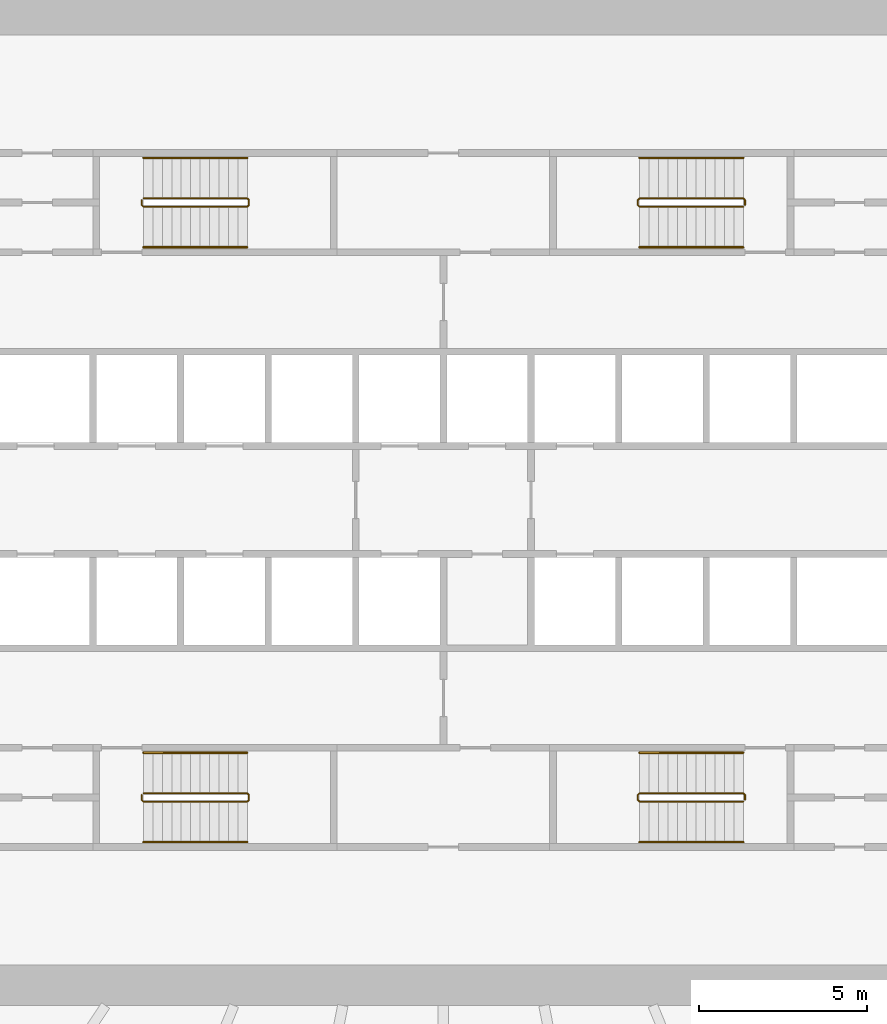
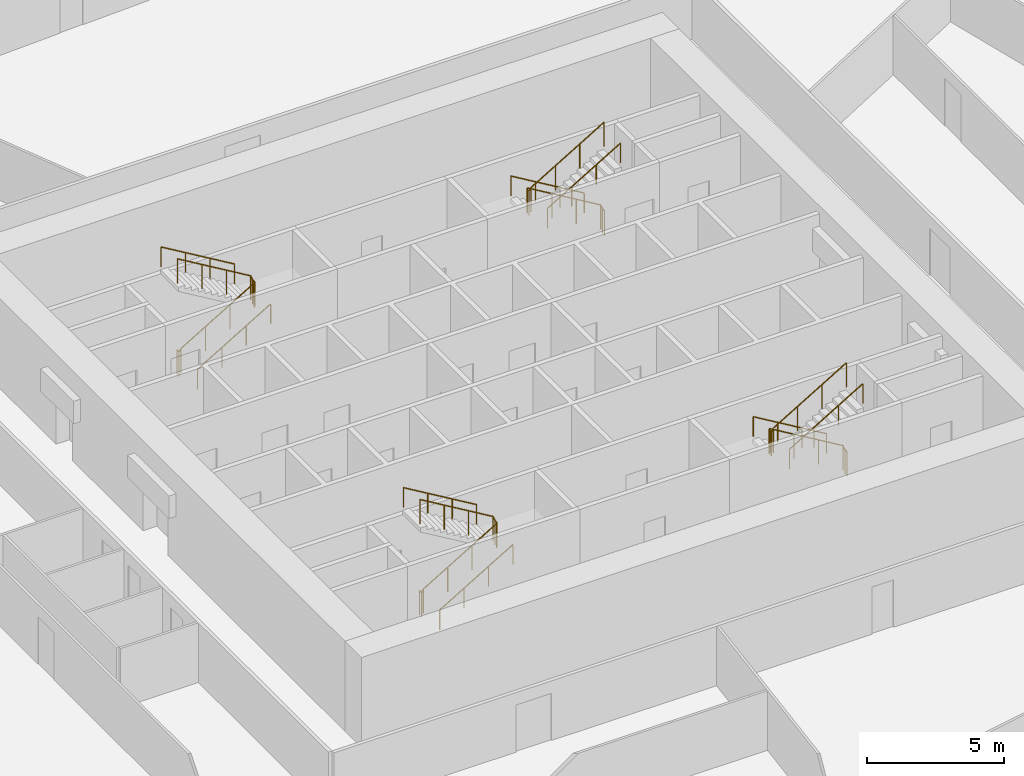
# One storey, part 14 of 14: 12 railings.
"""IFC4 building model written with IfcOpenShell, lengths in metres."""

from ifc_helpers import new_model, si_unit, direction, frame, origin, origin_2d, place, context, subcontext, project, spatial, circle, extrude, material, type_object, element, save


model = new_model("IFC4")

# Units and contexts
model_context = context("Model", 3, precision=1e-05, world=origin(), true_north=direction((0.0, 1.0)))
body_context = subcontext(model_context, "Body", "Model", "MODEL_VIEW")
ifc_project = project(units=[si_unit("LENGTHUNIT", "METRE"), si_unit("AREAUNIT", "SQUARE_METRE"), si_unit("VOLUMEUNIT", "CUBIC_METRE"), si_unit("PLANEANGLEUNIT", "RADIAN"), si_unit("MASSUNIT", "GRAM", prefix="KILO")], contexts=[model_context])

# Site, building, storey
site_placement = place(None, origin())
site = spatial("IfcSite", under=ifc_project, at=site_placement, CompositionType="ELEMENT")
building_placement = place(site_placement, origin())
building = spatial("IfcBuilding", under=site, at=building_placement, Name="Corvane Civic Tower", CompositionType="ELEMENT")
storey_placement = place(building_placement, frame((0.0, 0.0, 81.0)))
storey = spatial("IfcBuildingStorey", under=building, at=storey_placement, Name="L18", CompositionType="ELEMENT", Elevation=81.0)

# Railings
ifc_material_1 = material(Name="Steel ASTM A572 Gr 50", Category="steel")
railing_type_1 = type_object("IfcRailingType", Name="ST-GUARD-1100", PredefinedType="GUARDRAIL", material=ifc_material_1)
railing_1_placement = place(storey_placement, frame((8.949951171875, 8.75, 0.0)))
element("IfcRailing", 1, at=railing_1_placement, inside=storey, type_object=railing_type_1, Name="L18 ST1 stair guard 1", PredefinedType="GUARDRAIL", context=body_context, shape_type="SweptSolid", body=[
    extrude(circle(Radius=0.02392578125, at=origin_2d()), frame((0.0, 0.0, 1.076171875), z_axis=(0.0, 1.0, 0.0), x_axis=(-1.0, 0.0, 0.0)), (0.0, 0.0, 1.0), 0.14990234375),
    extrude(circle(Radius=0.02392578125, at=origin_2d()), frame((0.0, 0.14990234375, 1.076171875), z_axis=(-0.27628659633, 0.27628659633, 0.920506074601), x_axis=(-0.707106781187, -0.707106781187, 0.0)), (0.0, 0.0, 1.0), 0.18115234375),
    extrude(circle(Radius=0.02392578125, at=origin_2d()), frame((-0.050048828125, 0.199951171875, 1.24267578125), z_axis=(-0.859290745958, 0.0, 0.51148745235), x_axis=(0.0, -1.0, 0.0)), (0.0, 0.0, 1.0), 3.584228515625),
    extrude(circle(Radius=0.02392578125, at=origin_2d()), frame((-3.1298828125, 0.199951171875, 3.076171875), z_axis=(-0.707106781187, -0.707106781187, 0.0), x_axis=(0.707106781187, -0.707106781187, 0.0)), (0.0, 0.0, 1.0), 0.07080078125),
    extrude(circle(Radius=0.02392578125, at=origin_2d()), frame((-3.179931640625, 0.14990234375, 3.076171875), z_axis=(0.0, -1.0, 0.0), x_axis=(1.0, 0.0, 0.0)), (0.0, 0.0, 1.0), 0.14990234375),
    extrude(circle(Radius=0.02392578125, at=origin_2d()), frame((-3.179931640625, 0.0, 3.076171875), z_axis=(0.27628659633, -0.27628659633, 0.920506074601), x_axis=(0.707106781187, 0.707106781187, 0.0)), (0.0, 0.0, 1.0), 0.18115234375),
    extrude(circle(Radius=0.02392578125, at=origin_2d()), frame((-3.1298828125, -0.050048828125, 3.24267578125), z_axis=(0.859290745958, 0.0, 0.51148745235), x_axis=(0.0, 1.0, 0.0)), (0.0, 0.0, 1.0), 3.584228515625),
    extrude(circle(Radius=0.02099609375, at=origin_2d()), origin(), (0.0, 0.0, 1.0), 1.052001953125),
    extrude(circle(Radius=0.02099609375, at=origin_2d()), frame((0.0, 0.14990234375, 0.0)), (0.0, 0.0, 1.0), 1.052001953125),
    extrude(circle(Radius=0.02099609375, at=origin_2d()), frame((-0.050048828125, 0.199951171875, 0.166748046875)), (0.0, 0.0, 1.0), 1.052001953125),
    extrude(circle(Radius=0.02099609375, at=origin_2d()), frame((-1.07666015625, 0.199951171875, 0.77783203125)), (0.0, 0.0, 1.0), 1.052001953125),
    extrude(circle(Radius=0.02099609375, at=origin_2d()), frame((-2.103271484375, 0.199951171875, 1.388916015625)), (0.0, 0.0, 1.0), 1.052001953125),
    extrude(circle(Radius=0.02099609375, at=origin_2d()), frame((-3.1298828125, 0.199951171875, 2.0)), (0.0, 0.0, 1.0), 1.052001953125),
    extrude(circle(Radius=0.02099609375, at=origin_2d()), frame((-3.179931640625, 0.14990234375, 2.0)), (0.0, 0.0, 1.0), 1.052001953125),
    extrude(circle(Radius=0.02099609375, at=origin_2d()), frame((-3.179931640625, 0.0, 2.0)), (0.0, 0.0, 1.0), 1.052001953125),
    extrude(circle(Radius=0.02099609375, at=origin_2d()), frame((-3.1298828125, -0.050048828125, 2.166748046875)), (0.0, 0.0, 1.0), 1.052001953125),
    extrude(circle(Radius=0.02099609375, at=origin_2d()), frame((-2.103271484375, -0.050048828125, 2.77783203125)), (0.0, 0.0, 1.0), 1.052001953125),
    extrude(circle(Radius=0.02099609375, at=origin_2d()), frame((-1.07666015625, -0.050048828125, 3.388916015625)), (0.0, 0.0, 1.0), 1.052001953125),
    extrude(circle(Radius=0.02099609375, at=origin_2d()), frame((-0.050048828125, -0.050048828125, 4.0)), (0.0, 0.0, 1.0), 1.052001953125),
])
railing_2_placement = place(storey_placement, frame((8.949951171875, -8.89990234375, 0.0)))
element("IfcRailing", 2, at=railing_2_placement, inside=storey, type_object=railing_type_1, Name="L18 ST2 stair guard 1", PredefinedType="GUARDRAIL", context=body_context, shape_type="SweptSolid", body=[
    extrude(circle(Radius=0.02392578125, at=origin_2d()), frame((0.0, 0.0, 1.076171875), z_axis=(0.0, 1.0, 0.0), x_axis=(-1.0, 0.0, 0.0)), (0.0, 0.0, 1.0), 0.14990234375),
    extrude(circle(Radius=0.02392578125, at=origin_2d()), frame((0.0, 0.14990234375, 1.076171875), z_axis=(-0.27628659633, 0.27628659633, 0.920506074601), x_axis=(-0.707106781187, -0.707106781187, 0.0)), (0.0, 0.0, 1.0), 0.18115234375),
    extrude(circle(Radius=0.02392578125, at=origin_2d()), frame((-0.050048828125, 0.199951171875, 1.24267578125), z_axis=(-0.859290745958, 0.0, 0.51148745235), x_axis=(0.0, -1.0, 0.0)), (0.0, 0.0, 1.0), 3.584228515625),
    extrude(circle(Radius=0.02392578125, at=origin_2d()), frame((-3.1298828125, 0.199951171875, 3.076171875), z_axis=(-0.707106781187, -0.707106781187, 0.0), x_axis=(0.707106781187, -0.707106781187, 0.0)), (0.0, 0.0, 1.0), 0.07080078125),
    extrude(circle(Radius=0.02392578125, at=origin_2d()), frame((-3.179931640625, 0.14990234375, 3.076171875), z_axis=(0.0, -1.0, 0.0), x_axis=(1.0, 0.0, 0.0)), (0.0, 0.0, 1.0), 0.14990234375),
    extrude(circle(Radius=0.02392578125, at=origin_2d()), frame((-3.179931640625, 0.0, 3.076171875), z_axis=(0.27628659633, -0.27628659633, 0.920506074601), x_axis=(0.707106781187, 0.707106781187, 0.0)), (0.0, 0.0, 1.0), 0.18115234375),
    extrude(circle(Radius=0.02392578125, at=origin_2d()), frame((-3.1298828125, -0.050048828125, 3.24267578125), z_axis=(0.859290745958, 0.0, 0.51148745235), x_axis=(0.0, 1.0, 0.0)), (0.0, 0.0, 1.0), 3.584228515625),
    extrude(circle(Radius=0.02099609375, at=origin_2d()), origin(), (0.0, 0.0, 1.0), 1.052001953125),
    extrude(circle(Radius=0.02099609375, at=origin_2d()), frame((0.0, 0.14990234375, 0.0)), (0.0, 0.0, 1.0), 1.052001953125),
    extrude(circle(Radius=0.02099609375, at=origin_2d()), frame((-0.050048828125, 0.199951171875, 0.166748046875)), (0.0, 0.0, 1.0), 1.052001953125),
    extrude(circle(Radius=0.02099609375, at=origin_2d()), frame((-1.07666015625, 0.199951171875, 0.77783203125)), (0.0, 0.0, 1.0), 1.052001953125),
    extrude(circle(Radius=0.02099609375, at=origin_2d()), frame((-2.103271484375, 0.199951171875, 1.388916015625)), (0.0, 0.0, 1.0), 1.052001953125),
    extrude(circle(Radius=0.02099609375, at=origin_2d()), frame((-3.1298828125, 0.199951171875, 2.0)), (0.0, 0.0, 1.0), 1.052001953125),
    extrude(circle(Radius=0.02099609375, at=origin_2d()), frame((-3.179931640625, 0.14990234375, 2.0)), (0.0, 0.0, 1.0), 1.052001953125),
    extrude(circle(Radius=0.02099609375, at=origin_2d()), frame((-3.179931640625, 0.0, 2.0)), (0.0, 0.0, 1.0), 1.052001953125),
    extrude(circle(Radius=0.02099609375, at=origin_2d()), frame((-3.1298828125, -0.050048828125, 2.166748046875)), (0.0, 0.0, 1.0), 1.052001953125),
    extrude(circle(Radius=0.02099609375, at=origin_2d()), frame((-2.103271484375, -0.050048828125, 2.77783203125)), (0.0, 0.0, 1.0), 1.052001953125),
    extrude(circle(Radius=0.02099609375, at=origin_2d()), frame((-1.07666015625, -0.050048828125, 3.388916015625)), (0.0, 0.0, 1.0), 1.052001953125),
    extrude(circle(Radius=0.02099609375, at=origin_2d()), frame((-0.050048828125, -0.050048828125, 4.0)), (0.0, 0.0, 1.0), 1.052001953125),
])
railing_3_placement = place(storey_placement, frame((-8.949951171875, -8.75, 0.0)))
element("IfcRailing", 3, at=railing_3_placement, inside=storey, type_object=railing_type_1, Name="L18 ST3 stair guard 1", PredefinedType="GUARDRAIL", context=body_context, shape_type="SweptSolid", body=[
    extrude(circle(Radius=0.02392578125, at=origin_2d()), frame((0.0, 0.0, 1.076171875), z_axis=(0.0, -1.0, 0.0), x_axis=(1.0, 0.0, 0.0)), (0.0, 0.0, 1.0), 0.14990234375),
    extrude(circle(Radius=0.02392578125, at=origin_2d()), frame((0.0, -0.14990234375, 1.076171875), z_axis=(0.27628659633, -0.27628659633, 0.920506074601), x_axis=(0.707106781187, 0.707106781187, 0.0)), (0.0, 0.0, 1.0), 0.18115234375),
    extrude(circle(Radius=0.02392578125, at=origin_2d()), frame((0.050048828125, -0.199951171875, 1.24267578125), z_axis=(0.859290745958, 0.0, 0.51148745235), x_axis=(0.0, 1.0, 0.0)), (0.0, 0.0, 1.0), 3.584228515625),
    extrude(circle(Radius=0.02392578125, at=origin_2d()), frame((3.1298828125, -0.199951171875, 3.076171875), z_axis=(0.707106781187, 0.707106781187, 0.0), x_axis=(-0.707106781187, 0.707106781187, 0.0)), (0.0, 0.0, 1.0), 0.07080078125),
    extrude(circle(Radius=0.02392578125, at=origin_2d()), frame((3.179931640625, -0.14990234375, 3.076171875), z_axis=(0.0, 1.0, 0.0), x_axis=(-1.0, 0.0, 0.0)), (0.0, 0.0, 1.0), 0.14990234375),
    extrude(circle(Radius=0.02392578125, at=origin_2d()), frame((3.179931640625, 0.0, 3.076171875), z_axis=(-0.27628659633, 0.27628659633, 0.920506074601), x_axis=(-0.707106781187, -0.707106781187, 0.0)), (0.0, 0.0, 1.0), 0.18115234375),
    extrude(circle(Radius=0.02392578125, at=origin_2d()), frame((3.1298828125, 0.050048828125, 3.24267578125), z_axis=(-0.859290745958, 0.0, 0.51148745235), x_axis=(0.0, -1.0, 0.0)), (0.0, 0.0, 1.0), 3.584228515625),
    extrude(circle(Radius=0.02099609375, at=origin_2d()), origin(), (0.0, 0.0, 1.0), 1.052001953125),
    extrude(circle(Radius=0.02099609375, at=origin_2d()), frame((0.0, -0.14990234375, 0.0)), (0.0, 0.0, 1.0), 1.052001953125),
    extrude(circle(Radius=0.02099609375, at=origin_2d()), frame((0.050048828125, -0.199951171875, 0.166748046875)), (0.0, 0.0, 1.0), 1.052001953125),
    extrude(circle(Radius=0.02099609375, at=origin_2d()), frame((1.07666015625, -0.199951171875, 0.77783203125)), (0.0, 0.0, 1.0), 1.052001953125),
    extrude(circle(Radius=0.02099609375, at=origin_2d()), frame((2.103271484375, -0.199951171875, 1.388916015625)), (0.0, 0.0, 1.0), 1.052001953125),
    extrude(circle(Radius=0.02099609375, at=origin_2d()), frame((3.1298828125, -0.199951171875, 2.0)), (0.0, 0.0, 1.0), 1.052001953125),
    extrude(circle(Radius=0.02099609375, at=origin_2d()), frame((3.179931640625, -0.14990234375, 2.0)), (0.0, 0.0, 1.0), 1.052001953125),
    extrude(circle(Radius=0.02099609375, at=origin_2d()), frame((3.179931640625, 0.0, 2.0)), (0.0, 0.0, 1.0), 1.052001953125),
    extrude(circle(Radius=0.02099609375, at=origin_2d()), frame((3.1298828125, 0.050048828125, 2.166748046875)), (0.0, 0.0, 1.0), 1.052001953125),
    extrude(circle(Radius=0.02099609375, at=origin_2d()), frame((2.103271484375, 0.050048828125, 2.77783203125)), (0.0, 0.0, 1.0), 1.052001953125),
    extrude(circle(Radius=0.02099609375, at=origin_2d()), frame((1.07666015625, 0.050048828125, 3.388916015625)), (0.0, 0.0, 1.0), 1.052001953125),
    extrude(circle(Radius=0.02099609375, at=origin_2d()), frame((0.050048828125, 0.050048828125, 4.0)), (0.0, 0.0, 1.0), 1.052001953125),
])
railing_4_placement = place(storey_placement, frame((-8.949951171875, 8.89990234375, 0.0)))
element("IfcRailing", 4, at=railing_4_placement, inside=storey, type_object=railing_type_1, Name="L18 ST4 stair guard 1", PredefinedType="GUARDRAIL", context=body_context, shape_type="SweptSolid", body=[
    extrude(circle(Radius=0.02392578125, at=origin_2d()), frame((0.0, 0.0, 1.076171875), z_axis=(0.0, -1.0, 0.0), x_axis=(1.0, 0.0, 0.0)), (0.0, 0.0, 1.0), 0.14990234375),
    extrude(circle(Radius=0.02392578125, at=origin_2d()), frame((0.0, -0.14990234375, 1.076171875), z_axis=(0.27628659633, -0.27628659633, 0.920506074601), x_axis=(0.707106781187, 0.707106781187, 0.0)), (0.0, 0.0, 1.0), 0.18115234375),
    extrude(circle(Radius=0.02392578125, at=origin_2d()), frame((0.050048828125, -0.199951171875, 1.24267578125), z_axis=(0.859290745958, 0.0, 0.51148745235), x_axis=(0.0, 1.0, 0.0)), (0.0, 0.0, 1.0), 3.584228515625),
    extrude(circle(Radius=0.02392578125, at=origin_2d()), frame((3.1298828125, -0.199951171875, 3.076171875), z_axis=(0.707106781187, 0.707106781187, 0.0), x_axis=(-0.707106781187, 0.707106781187, 0.0)), (0.0, 0.0, 1.0), 0.07080078125),
    extrude(circle(Radius=0.02392578125, at=origin_2d()), frame((3.179931640625, -0.14990234375, 3.076171875), z_axis=(0.0, 1.0, 0.0), x_axis=(-1.0, 0.0, 0.0)), (0.0, 0.0, 1.0), 0.14990234375),
    extrude(circle(Radius=0.02392578125, at=origin_2d()), frame((3.179931640625, 0.0, 3.076171875), z_axis=(-0.27628659633, 0.27628659633, 0.920506074601), x_axis=(-0.707106781187, -0.707106781187, 0.0)), (0.0, 0.0, 1.0), 0.18115234375),
    extrude(circle(Radius=0.02392578125, at=origin_2d()), frame((3.1298828125, 0.050048828125, 3.24267578125), z_axis=(-0.859290745958, 0.0, 0.51148745235), x_axis=(0.0, -1.0, 0.0)), (0.0, 0.0, 1.0), 3.584228515625),
    extrude(circle(Radius=0.02099609375, at=origin_2d()), origin(), (0.0, 0.0, 1.0), 1.052001953125),
    extrude(circle(Radius=0.02099609375, at=origin_2d()), frame((0.0, -0.14990234375, 0.0)), (0.0, 0.0, 1.0), 1.052001953125),
    extrude(circle(Radius=0.02099609375, at=origin_2d()), frame((0.050048828125, -0.199951171875, 0.166748046875)), (0.0, 0.0, 1.0), 1.052001953125),
    extrude(circle(Radius=0.02099609375, at=origin_2d()), frame((1.07666015625, -0.199951171875, 0.77783203125)), (0.0, 0.0, 1.0), 1.052001953125),
    extrude(circle(Radius=0.02099609375, at=origin_2d()), frame((2.103271484375, -0.199951171875, 1.388916015625)), (0.0, 0.0, 1.0), 1.052001953125),
    extrude(circle(Radius=0.02099609375, at=origin_2d()), frame((3.1298828125, -0.199951171875, 2.0)), (0.0, 0.0, 1.0), 1.052001953125),
    extrude(circle(Radius=0.02099609375, at=origin_2d()), frame((3.179931640625, -0.14990234375, 2.0)), (0.0, 0.0, 1.0), 1.052001953125),
    extrude(circle(Radius=0.02099609375, at=origin_2d()), frame((3.179931640625, 0.0, 2.0)), (0.0, 0.0, 1.0), 1.052001953125),
    extrude(circle(Radius=0.02099609375, at=origin_2d()), frame((3.1298828125, 0.050048828125, 2.166748046875)), (0.0, 0.0, 1.0), 1.052001953125),
    extrude(circle(Radius=0.02099609375, at=origin_2d()), frame((2.103271484375, 0.050048828125, 2.77783203125)), (0.0, 0.0, 1.0), 1.052001953125),
    extrude(circle(Radius=0.02099609375, at=origin_2d()), frame((1.07666015625, 0.050048828125, 3.388916015625)), (0.0, 0.0, 1.0), 1.052001953125),
    extrude(circle(Radius=0.02099609375, at=origin_2d()), frame((0.050048828125, 0.050048828125, 4.0)), (0.0, 0.0, 1.0), 1.052001953125),
])
ifc_material_2 = material(Name="Steel ASTM A572 Gr 50", Category="steel")
railing_type_2 = type_object("IfcRailingType", Name="ST-HANDRAIL-900", PredefinedType="HANDRAIL", material=ifc_material_2)
railing_5_placement = place(storey_placement, frame((8.89990234375, 10.14990234375, 0.166748046875)))
element("IfcRailing", 5, at=railing_5_placement, inside=storey, type_object=railing_type_2, Name="L18 ST1 stair handrail 1", PredefinedType="HANDRAIL", context=body_context, shape_type="SweptSolid", body=[
    extrude(circle(Radius=0.02392578125, at=origin_2d()), frame((0.0, 0.0, 0.8759765625), z_axis=(-0.859290745958, 0.0, 0.51148745235), x_axis=(0.0, -1.0, 0.0)), (0.0, 0.0, 1.0), 3.584228515625),
    extrude(circle(Radius=0.02099609375, at=origin_2d()), origin(), (0.0, 0.0, 1.0), 0.851806640625),
    extrude(circle(Radius=0.02099609375, at=origin_2d()), frame((-1.026611328125, 0.0, 0.611083984375)), (0.0, 0.0, 1.0), 0.851806640625),
    extrude(circle(Radius=0.02099609375, at=origin_2d()), frame((-2.05322265625, 0.0, 1.22216796875)), (0.0, 0.0, 1.0), 0.851806640625),
    extrude(circle(Radius=0.02099609375, at=origin_2d()), frame((-3.079833984375, 0.0, 1.833251953125)), (0.0, 0.0, 1.0), 0.851806640625),
])
railing_6_placement = place(storey_placement, frame((5.820068359375, 7.5, 2.166748046875)))
element("IfcRailing", 6, at=railing_6_placement, inside=storey, type_object=railing_type_2, Name="L18 ST1 stair handrail 2", PredefinedType="HANDRAIL", context=body_context, shape_type="SweptSolid", body=[
    extrude(circle(Radius=0.02392578125, at=origin_2d()), frame((0.0, 0.0, 0.8759765625), z_axis=(0.859290745958, 0.0, 0.51148745235), x_axis=(0.0, 1.0, 0.0)), (0.0, 0.0, 1.0), 3.584228515625),
    extrude(circle(Radius=0.02099609375, at=origin_2d()), origin(), (0.0, 0.0, 1.0), 0.851806640625),
    extrude(circle(Radius=0.02099609375, at=origin_2d()), frame((1.026611328125, 0.0, 0.611083984375)), (0.0, 0.0, 1.0), 0.851806640625),
    extrude(circle(Radius=0.02099609375, at=origin_2d()), frame((2.05322265625, 0.0, 1.22216796875)), (0.0, 0.0, 1.0), 0.851806640625),
    extrude(circle(Radius=0.02099609375, at=origin_2d()), frame((3.079833984375, 0.0, 1.833251953125)), (0.0, 0.0, 1.0), 0.851806640625),
])
railing_7_placement = place(storey_placement, frame((8.89990234375, -7.5, 0.166748046875)))
element("IfcRailing", 7, at=railing_7_placement, inside=storey, type_object=railing_type_2, Name="L18 ST2 stair handrail 1", PredefinedType="HANDRAIL", context=body_context, shape_type="SweptSolid", body=[
    extrude(circle(Radius=0.02392578125, at=origin_2d()), frame((0.0, 0.0, 0.8759765625), z_axis=(-0.859290745958, 0.0, 0.51148745235), x_axis=(0.0, -1.0, 0.0)), (0.0, 0.0, 1.0), 3.584228515625),
    extrude(circle(Radius=0.02099609375, at=origin_2d()), origin(), (0.0, 0.0, 1.0), 0.851806640625),
    extrude(circle(Radius=0.02099609375, at=origin_2d()), frame((-1.026611328125, 0.0, 0.611083984375)), (0.0, 0.0, 1.0), 0.851806640625),
    extrude(circle(Radius=0.02099609375, at=origin_2d()), frame((-2.05322265625, 0.0, 1.22216796875)), (0.0, 0.0, 1.0), 0.851806640625),
    extrude(circle(Radius=0.02099609375, at=origin_2d()), frame((-3.079833984375, 0.0, 1.833251953125)), (0.0, 0.0, 1.0), 0.851806640625),
])
for number, where, name in (
    (8, (5.820068359375, -10.14990234375, 2.166748046875), "L18 ST2 stair handrail 2"),
    (9, (-8.89990234375, -10.14990234375, 0.166748046875), "L18 ST3 stair handrail 1"),
):
    element("IfcRailing", number, at=place(storey_placement, frame(where)), inside=storey, type_object=railing_type_2, Name=name, PredefinedType="HANDRAIL", context=body_context, shape_type="SweptSolid", body=[
        extrude(circle(Radius=0.02392578125, at=origin_2d()), frame((0.0, 0.0, 0.8759765625), z_axis=(0.859290745958, 0.0, 0.51148745235), x_axis=(0.0, 1.0, 0.0)), (0.0, 0.0, 1.0), 3.584228515625),
        extrude(circle(Radius=0.02099609375, at=origin_2d()), origin(), (0.0, 0.0, 1.0), 0.851806640625),
        extrude(circle(Radius=0.02099609375, at=origin_2d()), frame((1.026611328125, 0.0, 0.611083984375)), (0.0, 0.0, 1.0), 0.851806640625),
        extrude(circle(Radius=0.02099609375, at=origin_2d()), frame((2.05322265625, 0.0, 1.22216796875)), (0.0, 0.0, 1.0), 0.851806640625),
        extrude(circle(Radius=0.02099609375, at=origin_2d()), frame((3.079833984375, 0.0, 1.833251953125)), (0.0, 0.0, 1.0), 0.851806640625),
    ])
railing_8_placement = place(storey_placement, frame((-5.820068359375, -7.5, 2.166748046875)))
element("IfcRailing", 10, at=railing_8_placement, inside=storey, type_object=railing_type_2, Name="L18 ST3 stair handrail 2", PredefinedType="HANDRAIL", context=body_context, shape_type="SweptSolid", body=[
    extrude(circle(Radius=0.02392578125, at=origin_2d()), frame((0.0, 0.0, 0.8759765625), z_axis=(-0.859290745958, 0.0, 0.51148745235), x_axis=(0.0, -1.0, 0.0)), (0.0, 0.0, 1.0), 3.584228515625),
    extrude(circle(Radius=0.02099609375, at=origin_2d()), origin(), (0.0, 0.0, 1.0), 0.851806640625),
    extrude(circle(Radius=0.02099609375, at=origin_2d()), frame((-1.026611328125, 0.0, 0.611083984375)), (0.0, 0.0, 1.0), 0.851806640625),
    extrude(circle(Radius=0.02099609375, at=origin_2d()), frame((-2.05322265625, 0.0, 1.22216796875)), (0.0, 0.0, 1.0), 0.851806640625),
    extrude(circle(Radius=0.02099609375, at=origin_2d()), frame((-3.079833984375, 0.0, 1.833251953125)), (0.0, 0.0, 1.0), 0.851806640625),
])
railing_9_placement = place(storey_placement, frame((-8.89990234375, 7.5, 0.166748046875)))
element("IfcRailing", 11, at=railing_9_placement, inside=storey, type_object=railing_type_2, Name="L18 ST4 stair handrail 1", PredefinedType="HANDRAIL", context=body_context, shape_type="SweptSolid", body=[
    extrude(circle(Radius=0.02392578125, at=origin_2d()), frame((0.0, 0.0, 0.8759765625), z_axis=(0.859290745958, 0.0, 0.51148745235), x_axis=(0.0, 1.0, 0.0)), (0.0, 0.0, 1.0), 3.584228515625),
    extrude(circle(Radius=0.02099609375, at=origin_2d()), origin(), (0.0, 0.0, 1.0), 0.851806640625),
    extrude(circle(Radius=0.02099609375, at=origin_2d()), frame((1.026611328125, 0.0, 0.611083984375)), (0.0, 0.0, 1.0), 0.851806640625),
    extrude(circle(Radius=0.02099609375, at=origin_2d()), frame((2.05322265625, 0.0, 1.22216796875)), (0.0, 0.0, 1.0), 0.851806640625),
    extrude(circle(Radius=0.02099609375, at=origin_2d()), frame((3.079833984375, 0.0, 1.833251953125)), (0.0, 0.0, 1.0), 0.851806640625),
])
railing_10_placement = place(storey_placement, frame((-5.820068359375, 10.14990234375, 2.166748046875)))
element("IfcRailing", 12, at=railing_10_placement, inside=storey, type_object=railing_type_2, Name="L18 ST4 stair handrail 2", PredefinedType="HANDRAIL", context=body_context, shape_type="SweptSolid", body=[
    extrude(circle(Radius=0.02392578125, at=origin_2d()), frame((0.0, 0.0, 0.8759765625), z_axis=(-0.859290745958, 0.0, 0.51148745235), x_axis=(0.0, -1.0, 0.0)), (0.0, 0.0, 1.0), 3.584228515625),
    extrude(circle(Radius=0.02099609375, at=origin_2d()), origin(), (0.0, 0.0, 1.0), 0.851806640625),
    extrude(circle(Radius=0.02099609375, at=origin_2d()), frame((-1.026611328125, 0.0, 0.611083984375)), (0.0, 0.0, 1.0), 0.851806640625),
    extrude(circle(Radius=0.02099609375, at=origin_2d()), frame((-2.05322265625, 0.0, 1.22216796875)), (0.0, 0.0, 1.0), 0.851806640625),
    extrude(circle(Radius=0.02099609375, at=origin_2d()), frame((-3.079833984375, 0.0, 1.833251953125)), (0.0, 0.0, 1.0), 0.851806640625),
])

save(model, "model.ifc")
